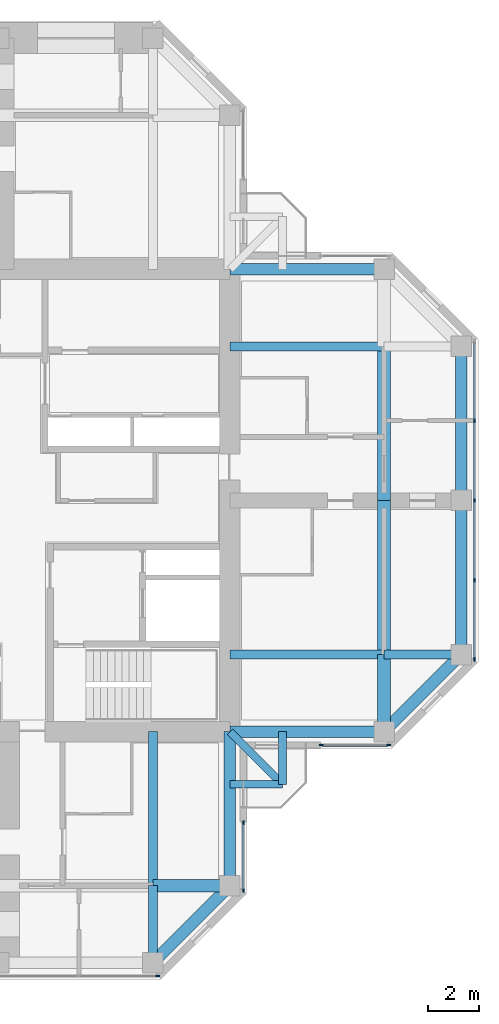
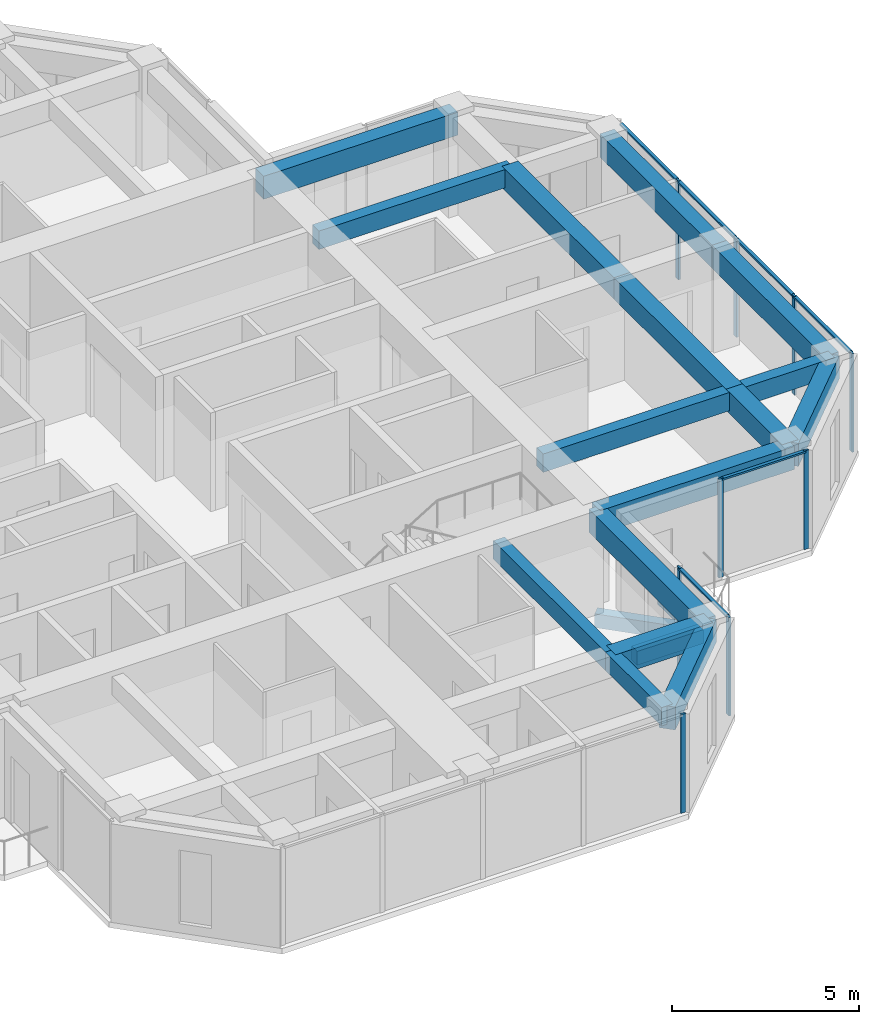
# One storey, part 5 of 14: 19 beams, 15 members, 4 elements without a shape of their own.
"""IFC4 building model written with IfcOpenShell, lengths in metres."""

import ifcopenshell
import ifcopenshell.guid

model = None  # the IFC model being written
_history = None  # IfcOwnerHistory: only IFC2X3 demands one
_inside = {}  # id of a spatial element -> (the spatial element, [elements in it])
_under = {}  # id of a project, library or spatial element -> (it, [spatial elements below it])
_declared = {}  # id of a project -> (the project, [libraries it declares])
_typed = {}  # id of a type object -> (the type object, [elements of that type])
_made_of = {}  # id of a material, layer set ... -> (it, [elements and type objects made of it])


def new_model(schema):
    """Start an empty IFC model of exactly this schema.

    Asked for "IFC4X3", IfcOpenShell would pick the latest addendum, in which some entities
    have other attributes; the version numbers below select the first issue.
    IFC2X3 requires an IfcOwnerHistory on every rooted entity: one is made here for all.
    """
    global model, _history
    if schema == "IFC4X3":
        model = ifcopenshell.file(schema_version=(4, 3, 0, 0))
    else:
        model = ifcopenshell.file(schema=schema)
    _inside.clear()
    _under.clear()
    _declared.clear()
    _typed.clear()
    _made_of.clear()
    _history = None
    if model.schema == "IFC2X3":
        org = make("IfcOrganization", Name="unknown")
        user = make(
            "IfcPersonAndOrganization",
            ThePerson=make("IfcPerson", FamilyName="unknown"),
            TheOrganization=org,
        )
        app = make(
            "IfcApplication",
            ApplicationDeveloper=org,
            Version="unknown",
            ApplicationFullName="unknown",
            ApplicationIdentifier="unknown",
        )
        _history = make(
            "IfcOwnerHistory",
            OwningUser=user,
            OwningApplication=app,
            ChangeAction="ADDED",
            CreationDate=0,
        )
    return model


def make(cls, **values):
    """One entity of the class cls with the attributes given. An attribute that is None is left unset."""
    return model.create_entity(
        cls, **{name: value for name, value in values.items() if value is not None}
    )


def rooted(cls, **values):
    """An entity with a GlobalId (a new one), such as an element, a storey or a relation."""
    return make(cls, GlobalId=ifcopenshell.guid.new(), OwnerHistory=_history, **values)


def si_unit(unit_type, name, prefix=None):
    """IfcSIUnit, for example si_unit("LENGTHUNIT", "METRE", prefix="MILLI")."""
    return make("IfcSIUnit", UnitType=unit_type, Prefix=prefix, Name=name)


def assignment(units):
    """IfcUnitAssignment: the units of a project."""
    return None if units is None else make("IfcUnitAssignment", Units=units)


def point(xyz):
    """IfcCartesianPoint."""
    return None if xyz is None else make("IfcCartesianPoint", Coordinates=xyz)


def direction(xyz):
    """IfcDirection."""
    return None if xyz is None else make("IfcDirection", DirectionRatios=xyz)


def frame(location, z_axis=None, x_axis=None):
    """IfcAxis2Placement3D, a coordinate frame: its origin and axes. An axis left out is left unset."""
    return make(
        "IfcAxis2Placement3D",
        Location=point(location),
        Axis=direction(z_axis),
        RefDirection=direction(x_axis),
    )


def frame_2d(location, x_axis=None):
    """IfcAxis2Placement2D, a coordinate frame in the plane: its origin and x axis."""
    return make(
        "IfcAxis2Placement2D", Location=point(location), RefDirection=direction(x_axis)
    )


def origin():
    """The frame at (0, 0, 0) with its axes left unset."""
    return frame((0.0, 0.0, 0.0))


def origin_2d():
    """The frame at (0, 0) in the plane with its x axis left unset."""
    return frame_2d((0.0, 0.0))


def place(relative_to, where):
    """IfcLocalPlacement: puts the frame where relative to a parent placement (None: the world)."""
    return make(
        "IfcLocalPlacement", PlacementRelTo=relative_to, RelativePlacement=where
    )


def context(
    kind, dimensions, precision=None, world=None, true_north=None, identifier=None
):
    """IfcGeometricRepresentationContext, for example the 3D "Model" context."""
    return make(
        "IfcGeometricRepresentationContext",
        ContextIdentifier=identifier,
        ContextType=kind,
        CoordinateSpaceDimension=dimensions,
        Precision=precision,
        WorldCoordinateSystem=world,
        TrueNorth=true_north,
    )


def subcontext(parent, identifier, kind, view, scale=None):
    """IfcGeometricRepresentationSubContext, for example "Body" below "Model"."""
    return make(
        "IfcGeometricRepresentationSubContext",
        ContextIdentifier=identifier,
        ContextType=kind,
        ParentContext=parent,
        TargetScale=scale,
        TargetView=view,
    )


def project(units=None, contexts=None):
    """IfcProject with its units and contexts."""
    return rooted(
        "IfcProject",
        Name="project",
        RepresentationContexts=contexts,
        UnitsInContext=assignment(units),
    )


def spatial(cls, under=None, at=None, **own):
    """A site, building, storey or space (cls), placed at a placement, below another one or the project."""
    s = rooted(cls, ObjectPlacement=at, **own)
    if under is not None:
        _under.setdefault(under.id(), (under, []))[1].append(s)
    return s


def profile(cls, at=None, kind="AREA", **sizes):
    """A parametric profile (cls). Its sizes go by their IFC names, for example OverallWidth=200.0."""
    return make(cls, ProfileType=kind, Position=at, **sizes)


def rectangle(**sizes):
    """IfcRectangleProfileDef."""
    return profile("IfcRectangleProfileDef", **sizes)


def extrude(swept, where, along, depth):
    """IfcExtrudedAreaSolid: the profile swept, set in the frame where, extruded along a direction by depth."""
    return make(
        "IfcExtrudedAreaSolid",
        SweptArea=swept,
        Position=where,
        ExtrudedDirection=direction(along),
        Depth=depth,
    )


def shape(context_of_items, identifier, shape_type, items):
    """IfcShapeRepresentation: the items that make up one representation, for example the "Body"."""
    return make(
        "IfcShapeRepresentation",
        ContextOfItems=context_of_items,
        RepresentationIdentifier=identifier,
        RepresentationType=shape_type,
        Items=items,
    )


def material(Name=None, Category=None):
    """IfcMaterial."""
    return make("IfcMaterial", Name=Name, Category=Category)


def material_profile(
    of_material, cross_section, Name=None, Category=None, Priority=None
):
    """IfcMaterialProfile: a cross section and its material."""
    return make(
        "IfcMaterialProfile",
        Name=Name,
        Material=of_material,
        Profile=cross_section,
        Priority=Priority,
        Category=Category,
    )


def profile_set(profiles, Name=None, composite=None):
    """IfcMaterialProfileSet."""
    return make(
        "IfcMaterialProfileSet",
        Name=Name,
        MaterialProfiles=profiles,
        CompositeProfile=composite,
    )


def made_of(thing, what):
    """Note that an element or type object is made of a material, layer set ...; save() writes the relation."""
    if what is not None:
        _made_of.setdefault(what.id(), (what, []))[1].append(thing)
    return thing


def type_object(cls, material=None, **own):
    """A type object (cls), such as IfcWallType, which elements share."""
    return made_of(rooted(cls, **own), material)


def element(
    cls,
    number,
    at=None,
    inside=None,
    cuts=None,
    type_object=None,
    material=None,
    context=None,
    identifier="Body",
    shape_type=None,
    held_by="IfcProductDefinitionShape",
    body=None,
    shapes=None,
    **own,
):
    """One element of the class cls, such as IfcWall. Its Tag is "e" and its number.

    at: its placement. inside: the storey or other place that contains it. cuts: it is an
    opening in that element (IfcRelVoidsElement). A single representation is given by context,
    identifier, shape_type and body (its items); several are given by shapes. held_by: the class
    of the entity that holds the representations. save() writes the other relations.
    """
    e = rooted(cls, Tag="e%d" % number, ObjectPlacement=at, **own)
    if body is not None:
        shapes = [shape(context, identifier, shape_type, body)]
    if shapes is not None:
        e.Representation = make(held_by, Representations=shapes)
    if inside is not None:
        _inside.setdefault(inside.id(), (inside, []))[1].append(e)
    if cuts is not None:
        rooted(
            "IfcRelVoidsElement", RelatingBuildingElement=cuts, RelatedOpeningElement=e
        )
    if type_object is not None:
        _typed.setdefault(type_object.id(), (type_object, []))[1].append(e)
    return made_of(e, material)


def aggregate(whole, parts):
    """IfcRelAggregates: a whole, such as a stair, and the parts it consists of."""
    return rooted("IfcRelAggregates", RelatingObject=whole, RelatedObjects=parts)


def save(model, path):
    """Write the relations noted so far, then the file.

    IfcRelAggregates (storeys below a building ...), IfcRelContainedInSpatialStructure (elements
    in a storey), IfcRelDefinesByType, IfcRelAssociatesMaterial and IfcRelDeclares: one each for
    every whole, place, type object, material and project.
    """
    for whole, parts in _under.values():
        aggregate(whole, parts)
    for where, things in _inside.values():
        rooted(
            "IfcRelContainedInSpatialStructure",
            RelatedElements=things,
            RelatingStructure=where,
        )
    for kind, things in _typed.values():
        rooted("IfcRelDefinesByType", RelatedObjects=things, RelatingType=kind)
    for what, things in _made_of.values():
        rooted("IfcRelAssociatesMaterial", RelatedObjects=things, RelatingMaterial=what)
    for by, libraries in _declared.values():
        rooted("IfcRelDeclares", RelatingContext=by, RelatedDefinitions=libraries)
    model.write(path)


model = new_model("IFC4")

# Units and contexts
model_context = context("Model", 3, precision=1e-05, world=origin(), true_north=direction((0.0, 1.0)))
body_context = subcontext(model_context, "Body", "Model", "MODEL_VIEW")
ifc_project = project(units=[si_unit("LENGTHUNIT", "METRE"), si_unit("AREAUNIT", "SQUARE_METRE"), si_unit("VOLUMEUNIT", "CUBIC_METRE"), si_unit("PLANEANGLEUNIT", "RADIAN"), si_unit("MASSUNIT", "GRAM", prefix="KILO")], contexts=[model_context])

# Site, building, storey
site_placement = place(None, origin())
site = spatial("IfcSite", under=ifc_project, at=site_placement, CompositionType="ELEMENT")
building_placement = place(site_placement, origin())
building = spatial("IfcBuilding", under=site, at=building_placement, Name="Torre Cruceta", CompositionType="ELEMENT")
storey_placement = place(building_placement, frame((0.0, 0.0, 225.5)))
storey = spatial("IfcBuildingStorey", under=building, at=storey_placement, Name="L57", CompositionType="ELEMENT", Elevation=225.5)

# Beams
ifc_material_1 = material(Name="Concrete G60 (fck 60 MPa)", Category="concrete")
ifc_material_profile_1 = material_profile(ifc_material_1, rectangle(XDim=0.300048828125, YDim=0.449951171875, at=origin_2d()), Name="RC 300X450")
ifc_profile_set_1 = profile_set([ifc_material_profile_1], Name="Concrete G60 (fck 60 MPa)")
beam_type_1 = type_object("IfcBeamType", Name="BALCONY CANTILEVER BEAM RC 300X450", PredefinedType="BEAM", material=ifc_profile_set_1)
beam_1_placement = place(storey_placement, frame((9.0, -9.0, -0.405029296875), z_axis=(0.707106781187, -0.707106781187, 0.0), x_axis=(0.707106781187, 0.707106781187, 0.0)))
element("IfcBeam", 1, at=beam_1_placement, inside=storey, type_object=beam_type_1, Name="BB1 balcony beam L57 S", PredefinedType="BEAM", context=body_context, shape_type="SweptSolid", body=[
    extrude(rectangle(XDim=0.300048828125, YDim=0.449951171875, at=origin_2d()), origin(), (0.0, 0.0, 1.0), 2.89990234375),
])
for number, where, z_axis, x_axis, name in (
    (2, (11.050537109375, -9.0, -0.405029296875), (0.0, -1.0, 0.0), (1.0, 0.0, 0.0), "BB1 balcony edge beam L57 S-X"),
    (3, (9.0, -11.050537109375, -0.405029296875), (1.0, 0.0, 0.0), (0.0, 1.0, 0.0), "BB1 balcony edge beam L57 S-Y"),
):
    element("IfcBeam", number, at=place(storey_placement, frame(where, z_axis=z_axis, x_axis=x_axis)), inside=storey, type_object=beam_type_1, Name=name, PredefinedType="BEAM", context=body_context, shape_type="SweptSolid", body=[
        extrude(rectangle(XDim=0.300048828125, YDim=0.449951171875, at=origin_2d()), origin(), (0.0, 0.0, 1.0), 2.050537109375),
    ])
ifc_material_2 = material(Name="Concrete G60 (fck 60 MPa)", Category="concrete")
ifc_material_profile_2 = material_profile(ifc_material_2, rectangle(XDim=0.35009765625, YDim=0.60009765625, at=origin_2d()), Name="RC 350X600")
ifc_profile_set_2 = profile_set([ifc_material_profile_2], Name="Concrete G60 (fck 60 MPa)")
beam_type_2 = type_object("IfcBeamType", Name="COLUMN LINE BEAM RC 350X600", PredefinedType="BEAM", material=ifc_profile_set_2)
beam_2_placement = place(storey_placement, frame((9.0, -6.0, 2.919921875), z_axis=(1.0, 0.0, 0.0), x_axis=(0.0, 1.0, 0.0)))
element("IfcBeam", 4, at=beam_2_placement, inside=storey, type_object=beam_type_2, Name="LB9 L57 E col- 1", PredefinedType="BEAM", context=body_context, shape_type="SweptSolid", body=[
    extrude(rectangle(XDim=0.35009765625, YDim=0.60009765625, at=origin_2d()), origin(), (0.0, 0.0, 1.0), 6.0),
])
beam_3_placement = place(storey_placement, frame((15.0, -6.0, 2.919921875), z_axis=(1.0, 0.0, 0.0), x_axis=(0.0, 1.0, 0.0)))
element("IfcBeam", 5, at=beam_3_placement, inside=storey, type_object=beam_type_2, Name="LB9 L57 E col- 2", PredefinedType="BEAM", context=body_context, shape_type="SweptSolid", body=[
    extrude(rectangle(XDim=0.35009765625, YDim=0.60009765625, at=origin_2d()), origin(), (0.0, 0.0, 1.0), 3.0),
])
for number, where, z_axis, x_axis, name in (
    (6, (9.0, 6.0, 2.919921875), (1.0, 0.0, 0.0), (0.0, 1.0, 0.0), "LB9 L57 E col+ 1"),
    (7, (6.0, -9.0, 2.919921875), (0.0, -1.0, 0.0), (1.0, 0.0, 0.0), "LB9 L57 S col+ 1"),
):
    element("IfcBeam", number, at=place(storey_placement, frame(where, z_axis=z_axis, x_axis=x_axis)), inside=storey, type_object=beam_type_2, Name=name, PredefinedType="BEAM", context=body_context, shape_type="SweptSolid", body=[
        extrude(rectangle(XDim=0.35009765625, YDim=0.60009765625, at=origin_2d()), origin(), (0.0, 0.0, 1.0), 6.0),
    ])
beam_4_placement = place(storey_placement, frame((6.0, -15.0, 2.919921875), z_axis=(0.0, -1.0, 0.0), x_axis=(1.0, 0.0, 0.0)))
element("IfcBeam", 8, at=beam_4_placement, inside=storey, type_object=beam_type_2, Name="LB9 L57 S col+ 2", PredefinedType="BEAM", context=body_context, shape_type="SweptSolid", body=[
    extrude(rectangle(XDim=0.35009765625, YDim=0.60009765625, at=origin_2d()), origin(), (0.0, 0.0, 1.0), 3.0),
])
ifc_material_3 = material(Name="Concrete G60 (fck 60 MPa)", Category="concrete")
ifc_material_profile_3 = material_profile(ifc_material_3, rectangle(XDim=0.5, YDim=0.699951171875, at=origin_2d()), Name="RC 500X700")
ifc_profile_set_3 = profile_set([ifc_material_profile_3], Name="Concrete G60 (fck 60 MPa)")
beam_type_3 = type_object("IfcBeamType", Name="CROSS BEAM RC 500X700", PredefinedType="BEAM", material=ifc_profile_set_3)
beam_5_placement = place(storey_placement, frame((15.0, -9.0, 2.8701171875), z_axis=(0.0, 1.0, 0.0), x_axis=(-1.0, 0.0, 0.0)))
element("IfcBeam", 9, at=beam_5_placement, inside=storey, type_object=beam_type_3, Name="GB7 L57 E cross15 1", PredefinedType="BEAM", context=body_context, shape_type="SweptSolid", body=[
    extrude(rectangle(XDim=0.5, YDim=0.699951171875, at=origin_2d()), origin(), (0.0, 0.0, 1.0), 3.0),
])
for number, where, z_axis, x_axis, name in (
    (10, (15.0, -6.0, 2.8701171875), (0.0, 1.0, 0.0), (-1.0, 0.0, 0.0), "GB7 L57 E cross15 2"),
    (11, (15.0, 0.0, 2.8701171875), (0.0, 1.0, 0.0), (-1.0, 0.0, 0.0), "GB7 L57 E cross15 3"),
):
    element("IfcBeam", number, at=place(storey_placement, frame(where, z_axis=z_axis, x_axis=x_axis)), inside=storey, type_object=beam_type_3, Name=name, PredefinedType="BEAM", context=body_context, shape_type="SweptSolid", body=[
        extrude(rectangle(XDim=0.5, YDim=0.699951171875, at=origin_2d()), origin(), (0.0, 0.0, 1.0), 6.0),
    ])
beam_6_placement = place(storey_placement, frame((6.0, -15.0, 2.8701171875), z_axis=(1.0, 0.0, 0.0), x_axis=(0.0, 1.0, 0.0)))
element("IfcBeam", 12, at=beam_6_placement, inside=storey, type_object=beam_type_3, Name="GB7 L57 S cross15 4", PredefinedType="BEAM", context=body_context, shape_type="SweptSolid", body=[
    extrude(rectangle(XDim=0.5, YDim=0.699951171875, at=origin_2d()), origin(), (0.0, 0.0, 1.0), 3.0),
])

# Curtain wall, members
ifc_material_4 = material(Name="Aluminium unitised curtain wall", Category="aluminium")
curtain_wall_type = type_object("IfcCurtainWallType", Name="CURTAIN WALL CW-D CO-LIVING UPPER", PredefinedType="USERDEFINED", material=ifc_material_4)
curtain_wall_1_placement = place(storey_placement, origin())
curtain_wall_1 = element("IfcCurtainWall", 13, at=curtain_wall_1_placement, inside=storey, type_object=curtain_wall_type, Name="CW-D L57 E side 00", ObjectType="UNITISED", PredefinedType="USERDEFINED")
ifc_material_5 = material(Name="Aluminium mullion", Category="aluminium")
ifc_material_profile_4 = material_profile(ifc_material_5, rectangle(XDim=0.06005859375, YDim=0.14990234375, at=origin_2d()), Name="AL 60X150")
ifc_profile_set_4 = profile_set([ifc_material_profile_4], Name="Aluminium mullion")
member_type_1 = type_object("IfcMemberType", Name="CW-D MULLION 60X150", PredefinedType="MULLION", material=ifc_profile_set_4)
member_1_placement = place(storey_placement, frame((12.550048828125, -9.52001953125, 0.0), z_axis=(0.0, 0.0, 1.0), x_axis=(0.0, 1.0, 0.0)))
member_1 = element("IfcMember", 14, at=member_1_placement, type_object=member_type_1, Name="CW-D mullion 1", PredefinedType="MULLION", context=body_context, shape_type="SweptSolid", body=[
    extrude(rectangle(XDim=0.06005859375, YDim=0.14990234375, at=origin_2d()), origin(), (0.0, 0.0, 1.0), 3.219970703125),
])
member_2_placement = place(storey_placement, frame((15.185302734375, -9.52001953125, 0.0), z_axis=(0.0, 0.0, 1.0), x_axis=(0.0, 1.0, 0.0)))
member_2 = element("IfcMember", 15, at=member_2_placement, type_object=member_type_1, Name="CW-D mullion 2", PredefinedType="MULLION", context=body_context, shape_type="SweptSolid", body=[
    extrude(rectangle(XDim=0.06005859375, YDim=0.14990234375, at=origin_2d()), origin(), (0.0, 0.0, 1.0), 3.219970703125),
])

curtain_wall_2_placement = place(storey_placement, origin())
curtain_wall_2 = element("IfcCurtainWall", 16, at=curtain_wall_2_placement, inside=storey, type_object=curtain_wall_type, Name="CW-D L57 E tip 02", ObjectType="UNITISED", PredefinedType="USERDEFINED")
member_3_placement = place(storey_placement, frame((18.52001953125, -6.185302734375, 0.0), z_axis=(0.0, 0.0, 1.0), x_axis=(-1.0, 0.0, 0.0)))
member_3 = element("IfcMember", 17, at=member_3_placement, type_object=member_type_1, Name="CW-D mullion 1", PredefinedType="MULLION", context=body_context, shape_type="SweptSolid", body=[
    extrude(rectangle(XDim=0.06005859375, YDim=0.14990234375, at=origin_2d()), origin(), (0.0, 0.0, 1.0), 3.219970703125),
])
member_4_placement = place(storey_placement, frame((18.52001953125, -3.107666015625, 0.0), z_axis=(0.0, 0.0, 1.0), x_axis=(-1.0, 0.0, 0.0)))
member_4 = element("IfcMember", 18, at=member_4_placement, type_object=member_type_1, Name="CW-D mullion 2", PredefinedType="MULLION", context=body_context, shape_type="SweptSolid", body=[
    extrude(rectangle(XDim=0.06005859375, YDim=0.14990234375, at=origin_2d()), origin(), (0.0, 0.0, 1.0), 3.219970703125),
])
member_5_placement = place(storey_placement, frame((18.52001953125, 0.0, 0.0), z_axis=(0.0, 0.0, 1.0), x_axis=(-1.0, 0.0, 0.0)))
member_5 = element("IfcMember", 19, at=member_5_placement, type_object=member_type_1, Name="CW-D mullion 3", PredefinedType="MULLION", context=body_context, shape_type="SweptSolid", body=[
    extrude(rectangle(XDim=0.06005859375, YDim=0.14990234375, at=origin_2d()), origin(), (0.0, 0.0, 1.0), 3.219970703125),
])
member_6_placement = place(storey_placement, frame((18.52001953125, 3.107666015625, 0.0), z_axis=(0.0, 0.0, 1.0), x_axis=(-1.0, 0.0, 0.0)))
member_6 = element("IfcMember", 20, at=member_6_placement, type_object=member_type_1, Name="CW-D mullion 4", PredefinedType="MULLION", context=body_context, shape_type="SweptSolid", body=[
    extrude(rectangle(XDim=0.06005859375, YDim=0.14990234375, at=origin_2d()), origin(), (0.0, 0.0, 1.0), 3.219970703125),
])

# Curtain wall, member
curtain_wall_3_placement = place(storey_placement, origin())
curtain_wall_3 = element("IfcCurtainWall", 21, at=curtain_wall_3_placement, inside=storey, type_object=curtain_wall_type, Name="CW-D L57 S tip 17", ObjectType="UNITISED", PredefinedType="USERDEFINED")
member_7_placement = place(storey_placement, frame((6.185302734375, -18.52001953125, 0.0), z_axis=(0.0, 0.0, 1.0), x_axis=(0.0, 1.0, 0.0)))
member_7 = element("IfcMember", 22, at=member_7_placement, type_object=member_type_1, Name="CW-D mullion 5", PredefinedType="MULLION", context=body_context, shape_type="SweptSolid", body=[
    extrude(rectangle(XDim=0.06005859375, YDim=0.14990234375, at=origin_2d()), origin(), (0.0, 0.0, 1.0), 3.219970703125),
])
aggregate(curtain_wall_3, [member_7])

# Curtain wall, members
curtain_wall_4_placement = place(storey_placement, origin())
curtain_wall_4 = element("IfcCurtainWall", 23, at=curtain_wall_4_placement, inside=storey, type_object=curtain_wall_type, Name="CW-D L57 S side 19", ObjectType="UNITISED", PredefinedType="USERDEFINED")
member_8_placement = place(storey_placement, frame((9.52001953125, -15.185302734375, 0.0), z_axis=(0.0, 0.0, 1.0), x_axis=(-1.0, 0.0, 0.0)))
member_8 = element("IfcMember", 24, at=member_8_placement, type_object=member_type_1, Name="CW-D mullion 1", PredefinedType="MULLION", context=body_context, shape_type="SweptSolid", body=[
    extrude(rectangle(XDim=0.06005859375, YDim=0.14990234375, at=origin_2d()), origin(), (0.0, 0.0, 1.0), 3.219970703125),
])
member_9_placement = place(storey_placement, frame((9.52001953125, -12.550048828125, 0.0), z_axis=(0.0, 0.0, 1.0), x_axis=(-1.0, 0.0, 0.0)))
member_9 = element("IfcMember", 25, at=member_9_placement, type_object=member_type_1, Name="CW-D mullion 2", PredefinedType="MULLION", context=body_context, shape_type="SweptSolid", body=[
    extrude(rectangle(XDim=0.06005859375, YDim=0.14990234375, at=origin_2d()), origin(), (0.0, 0.0, 1.0), 3.219970703125),
])

# Member
ifc_material_6 = material(Name="Aluminium transom", Category="aluminium")
ifc_material_profile_5 = material_profile(ifc_material_6, rectangle(XDim=0.10009765625, YDim=0.06005859375, at=origin_2d()), Name="AL 100X60")
ifc_profile_set_5 = profile_set([ifc_material_profile_5], Name="Aluminium transom")
member_type_2 = type_object("IfcMemberType", Name="CW-D TRANSOM 60X100", PredefinedType="USERDEFINED", material=ifc_profile_set_5)
member_10_placement = place(storey_placement, frame((12.580078125, -9.52001953125, 3.18994140625), z_axis=(1.0, 0.0, 0.0), x_axis=(0.0, 1.0, 0.0)))
member_10 = element("IfcMember", 26, at=member_10_placement, type_object=member_type_2, Name="CW-D transom 1", ObjectType="TRANSOM", PredefinedType="USERDEFINED", context=body_context, shape_type="SweptSolid", body=[
    extrude(rectangle(XDim=0.10009765625, YDim=0.06005859375, at=origin_2d()), origin(), (0.0, 0.0, 1.0), 2.5751953125),
])

aggregate(curtain_wall_1, [member_1, member_2, member_10])

member_11_placement = place(storey_placement, frame((18.52001953125, -6.1552734375, 3.18994140625), z_axis=(0.0, 1.0, 0.0), x_axis=(-1.0, 0.0, 0.0)))
member_11 = element("IfcMember", 27, at=member_11_placement, type_object=member_type_2, Name="CW-D transom 1", ObjectType="TRANSOM", PredefinedType="USERDEFINED", context=body_context, shape_type="SweptSolid", body=[
    extrude(rectangle(XDim=0.10009765625, YDim=0.06005859375, at=origin_2d()), origin(), (0.0, 0.0, 1.0), 3.017578125),
])

member_12_placement = place(storey_placement, frame((18.52001953125, -3.07763671875, 3.18994140625), z_axis=(0.0, 1.0, 0.0), x_axis=(-1.0, 0.0, 0.0)))
member_12 = element("IfcMember", 28, at=member_12_placement, type_object=member_type_2, Name="CW-D transom 2", ObjectType="TRANSOM", PredefinedType="USERDEFINED", context=body_context, shape_type="SweptSolid", body=[
    extrude(rectangle(XDim=0.10009765625, YDim=0.06005859375, at=origin_2d()), origin(), (0.0, 0.0, 1.0), 3.047607421875),
])

member_13_placement = place(storey_placement, frame((18.52001953125, 0.030029296875, 3.18994140625), z_axis=(0.0, 1.0, 0.0), x_axis=(-1.0, 0.0, 0.0)))
member_13 = element("IfcMember", 29, at=member_13_placement, type_object=member_type_2, Name="CW-D transom 3", ObjectType="TRANSOM", PredefinedType="USERDEFINED", context=body_context, shape_type="SweptSolid", body=[
    extrude(rectangle(XDim=0.10009765625, YDim=0.06005859375, at=origin_2d()), origin(), (0.0, 0.0, 1.0), 3.047607421875),
])

member_14_placement = place(storey_placement, frame((18.52001953125, 3.1376953125, 3.18994140625), z_axis=(0.0, 1.0, 0.0), x_axis=(-1.0, 0.0, 0.0)))
member_14 = element("IfcMember", 30, at=member_14_placement, type_object=member_type_2, Name="CW-D transom 4", ObjectType="TRANSOM", PredefinedType="USERDEFINED", context=body_context, shape_type="SweptSolid", body=[
    extrude(rectangle(XDim=0.10009765625, YDim=0.06005859375, at=origin_2d()), origin(), (0.0, 0.0, 1.0), 3.017578125),
])

aggregate(curtain_wall_2, [member_3, member_4, member_5, member_6, member_11, member_12, member_13, member_14])

member_15_placement = place(storey_placement, frame((9.52001953125, -15.1552734375, 3.18994140625), z_axis=(0.0, 1.0, 0.0), x_axis=(-1.0, 0.0, 0.0)))
member_15 = element("IfcMember", 31, at=member_15_placement, type_object=member_type_2, Name="CW-D transom 1", ObjectType="TRANSOM", PredefinedType="USERDEFINED", context=body_context, shape_type="SweptSolid", body=[
    extrude(rectangle(XDim=0.10009765625, YDim=0.06005859375, at=origin_2d()), origin(), (0.0, 0.0, 1.0), 2.5751953125),
])

aggregate(curtain_wall_4, [member_8, member_9, member_15])

# Beams
ifc_material_7 = material(Name="Concrete G60 (fck 60 MPa)", Category="concrete")
ifc_material_profile_6 = material_profile(ifc_material_7, rectangle(XDim=0.449951171875, YDim=0.75, at=origin_2d()), Name="RC 450X750")
ifc_profile_set_6 = profile_set([ifc_material_profile_6], Name="Concrete G60 (fck 60 MPa)")
beam_type_4 = type_object("IfcBeamType", Name="SPANDREL BEAM RC 450X750", PredefinedType="SPANDREL", material=ifc_profile_set_6)
beam_7_placement = place(storey_placement, frame((9.0, -9.0, 2.844970703125), z_axis=(1.0, 0.0, 0.0), x_axis=(0.0, 1.0, 0.0)))
element("IfcBeam", 32, at=beam_7_placement, inside=storey, type_object=beam_type_4, Name="SB7 L57 E side- 1", PredefinedType="SPANDREL", context=body_context, shape_type="SweptSolid", body=[
    extrude(rectangle(XDim=0.449951171875, YDim=0.75, at=origin_2d()), origin(), (0.0, 0.0, 1.0), 6.0),
])
beam_8_placement = place(storey_placement, frame((15.0, -9.0, 2.844970703125), z_axis=(0.707106781187, 0.707106781187, 0.0), x_axis=(-0.707106781187, 0.707106781187, 0.0)))
element("IfcBeam", 33, at=beam_8_placement, inside=storey, type_object=beam_type_4, Name="SB7 L57 E side- 2", PredefinedType="SPANDREL", context=body_context, shape_type="SweptSolid", body=[
    extrude(rectangle(XDim=0.449951171875, YDim=0.75, at=origin_2d()), origin(), (0.0, 0.0, 1.0), 4.24267578125),
])
for number, where, z_axis, x_axis, name in (
    (34, (9.0, 9.0, 2.844970703125), (1.0, 0.0, 0.0), (0.0, 1.0, 0.0), "SB7 L57 E side+ 1"),
    (35, (18.0, -6.0, 2.844970703125), (0.0, 1.0, 0.0), (-1.0, 0.0, 0.0), "SB7 L57 E tip 1"),
    (36, (18.0, 0.0, 2.844970703125), (0.0, 1.0, 0.0), (-1.0, 0.0, 0.0), "SB7 L57 E tip 2"),
    (37, (9.0, -9.0, 2.844970703125), (0.0, -1.0, 0.0), (1.0, 0.0, 0.0), "SB7 L57 S side+ 1"),
):
    element("IfcBeam", number, at=place(storey_placement, frame(where, z_axis=z_axis, x_axis=x_axis)), inside=storey, type_object=beam_type_4, Name=name, PredefinedType="SPANDREL", context=body_context, shape_type="SweptSolid", body=[
        extrude(rectangle(XDim=0.449951171875, YDim=0.75, at=origin_2d()), origin(), (0.0, 0.0, 1.0), 6.0),
    ])
beam_9_placement = place(storey_placement, frame((9.0, -15.0, 2.844970703125), z_axis=(-0.707106781187, -0.707106781187, 0.0), x_axis=(0.707106781187, -0.707106781187, 0.0)))
element("IfcBeam", 38, at=beam_9_placement, inside=storey, type_object=beam_type_4, Name="SB7 L57 S side+ 2", PredefinedType="SPANDREL", context=body_context, shape_type="SweptSolid", body=[
    extrude(rectangle(XDim=0.449951171875, YDim=0.75, at=origin_2d()), origin(), (0.0, 0.0, 1.0), 4.24267578125),
])

save(model, "model.ifc")
